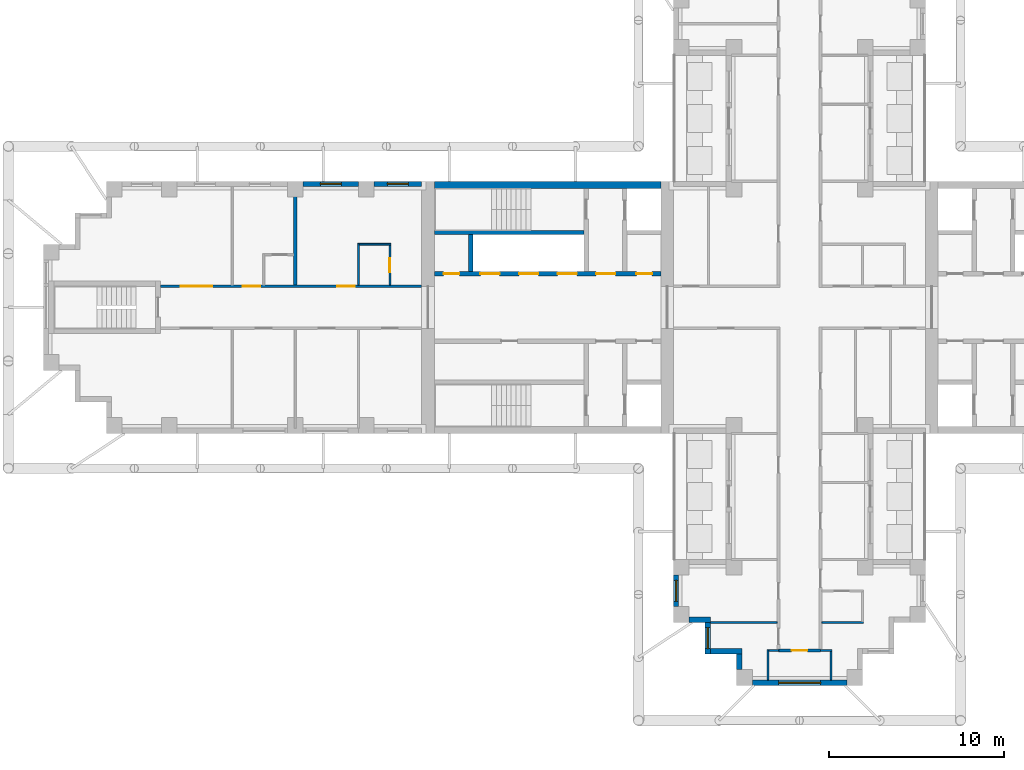
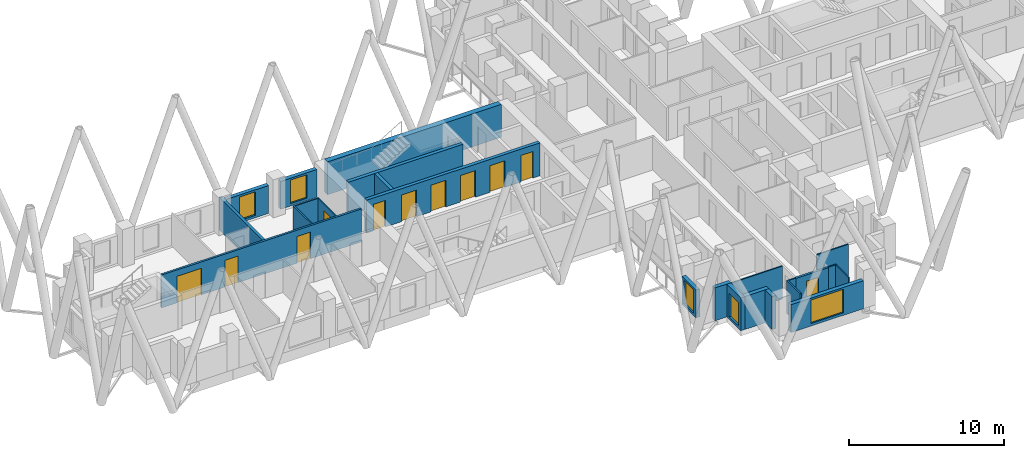
# One storey, part 4 of 12: 24 walls, 11 doors, 5 windows, 16 openings.
"""IFC4 building model written with IfcOpenShell, lengths in metres."""

from ifc_helpers import new_model, si_unit, direction, frame, frame_2d, origin, place, context, subcontext, project, spatial, rectangle, extrude, material, layer, layer_set, type_object, element, fill, save


model = new_model("IFC4")

# Units and contexts
model_context = context("Model", 3, precision=1e-05, world=origin(), true_north=direction((0.0, 1.0)))
body_context = subcontext(model_context, "Body", "Model", "MODEL_VIEW")
ifc_project = project(units=[si_unit("LENGTHUNIT", "METRE"), si_unit("AREAUNIT", "SQUARE_METRE"), si_unit("VOLUMEUNIT", "CUBIC_METRE"), si_unit("PLANEANGLEUNIT", "RADIAN"), si_unit("MASSUNIT", "GRAM", prefix="KILO")], contexts=[model_context])

# Site, building, storey
site_placement = place(None, origin())
site = spatial("IfcSite", under=ifc_project, at=site_placement, CompositionType="ELEMENT")
building_placement = place(site_placement, origin())
building = spatial("IfcBuilding", under=site, at=building_placement, Name="Fustian Cross Tower", CompositionType="ELEMENT")
storey_placement = place(building_placement, frame((0.0, 0.0, 188.699951171875)))
storey = spatial("IfcBuildingStorey", under=building, at=storey_placement, Name="L59", CompositionType="ELEMENT", Elevation=188.699951171875)

# Wall, openings, doors
ifc_material_1 = material(Name="Plasterboard on steel stud", Category="steel")
ifc_layer_1 = layer(ifc_material_1, 0.14990234375)
ifc_layer_set_1 = layer_set([ifc_layer_1], Name="Plasterboard on steel stud")
wall_type_1 = type_object("IfcWallType", Name="COMPARTMENT WALL 150 EI 60", PredefinedType="PARTITIONING", material=ifc_layer_set_1)
wall_1_placement = place(storey_placement, frame((-36.5, 1.199951171875, 0.0), z_axis=(0.0, 0.0, 1.0), x_axis=(1.0, 0.0, 0.0)))
wall_1 = element("IfcWall", 1, at=wall_1_placement, inside=storey, type_object=wall_type_1, Name="Partition 2", PredefinedType="PARTITIONING", context=body_context, shape_type="SweptSolid", body=[
    extrude(rectangle(XDim=14.89990234375, YDim=0.14990234375, at=frame_2d((7.449951171875, 0.0))), origin(), (0.0, 0.0, 1.0), 2.60009765625),
])
opening_1_placement = place(wall_1_placement, frame((10.10009765625, 0.0, 0.0)))
opening_1 = element("IfcOpeningElement", 2, at=opening_1_placement, cuts=wall_1, Name="Opening D27028", PredefinedType="OPENING", context=body_context, shape_type="SweptSolid", body=[
    extrude(rectangle(XDim=1.0, YDim=2.10009765625, at=frame_2d((0.5, 1.050048828125))), frame((0.0, 0.0849609375, 0.0), z_axis=(0.0, -1.0, 0.0), x_axis=(1.0, 0.0, 0.0)), (0.0, 0.0, 1.0), 0.169921875),
])
opening_2_placement = place(wall_1_placement, frame((4.699951171875, 0.0, 0.0)))
opening_2 = element("IfcOpeningElement", 3, at=opening_2_placement, cuts=wall_1, Name="Opening D27030", PredefinedType="OPENING", context=body_context, shape_type="SweptSolid", body=[
    extrude(rectangle(XDim=1.0, YDim=2.10009765625, at=frame_2d((0.5, 1.050048828125))), frame((0.0, 0.0849609375, 0.0), z_axis=(0.0, -1.0, 0.0), x_axis=(1.0, 0.0, 0.0)), (0.0, 0.0, 1.0), 0.169921875),
])
opening_3_placement = place(wall_1_placement, frame((1.14990234375, 0.0, 0.0)))
opening_3 = element("IfcOpeningElement", 4, at=opening_3_placement, cuts=wall_1, Name="Opening D27031", PredefinedType="OPENING", context=body_context, shape_type="SweptSolid", body=[
    extrude(rectangle(XDim=1.800048828125, YDim=2.10009765625, at=frame_2d((0.89990234375, 1.050048828125))), frame((0.0, 0.0849609375, 0.0), z_axis=(0.0, -1.0, 0.0), x_axis=(1.0, 0.0, 0.0)), (0.0, 0.0, 1.0), 0.169921875),
])
ifc_material_2 = material(Name="Timber fire door set", Category="wood")
door_type_1 = type_object("IfcDoorType", Name="FIRE DOUBLE DOOR 1800 FD30S", OperationType="DOUBLE_DOOR_DOUBLE_SWING", PredefinedType="DOOR", material=ifc_material_2)
door_1_placement = place(opening_3_placement, frame((1.800048828125, 0.0, 0.0), z_axis=(0.0, 0.0, 1.0), x_axis=(-1.0, 0.0, 0.0)))
door_1 = element("IfcDoor", 5, at=door_1_placement, inside=storey, type_object=door_type_1, Name="Door D27031", OperationType="DOUBLE_DOOR_DOUBLE_SWING", OverallHeight=2.10009765625, OverallWidth=1.800048828125, PredefinedType="DOOR", context=body_context, shape_type="SweptSolid", body=[
    extrude(rectangle(XDim=1.800048828125, YDim=2.10009765625, at=frame_2d((0.89990234375, 1.050048828125))), frame((0.0, 0.02490234375, 0.0), z_axis=(0.0, -1.0, 0.0), x_axis=(1.0, 0.0, 0.0)), (0.0, 0.0, 1.0), 0.050048828125),
])
fill(opening_3, door_1)
ifc_material_3 = material(Name="Timber fire door set", Category="wood")
door_type_2 = type_object("IfcDoorType", Name="FIRE SWING DOOR 1000 FD30S", OperationType="SINGLE_SWING_LEFT", PredefinedType="DOOR", material=ifc_material_3)
door_2_placement = place(opening_1_placement, origin())
door_2 = element("IfcDoor", 6, at=door_2_placement, inside=storey, type_object=door_type_2, Name="Door D27028", OperationType="SINGLE_SWING_RIGHT", OverallHeight=2.10009765625, OverallWidth=1.0, PredefinedType="DOOR", context=body_context, shape_type="SweptSolid", body=[
    extrude(rectangle(XDim=1.0, YDim=2.10009765625, at=frame_2d((0.5, 1.050048828125))), frame((0.0, 0.02490234375, 0.0), z_axis=(0.0, -1.0, 0.0), x_axis=(1.0, 0.0, 0.0)), (0.0, 0.0, 1.0), 0.050048828125),
])
fill(opening_1, door_2)
door_3_placement = place(opening_2_placement, origin())
door_3 = element("IfcDoor", 7, at=door_3_placement, inside=storey, type_object=door_type_2, Name="Door D27030", OperationType="SINGLE_SWING_RIGHT", OverallHeight=2.10009765625, OverallWidth=1.0, PredefinedType="DOOR", context=body_context, shape_type="SweptSolid", body=[
    extrude(rectangle(XDim=1.0, YDim=2.10009765625, at=frame_2d((0.5, 1.050048828125))), frame((0.0, 0.02490234375, 0.0), z_axis=(0.0, -1.0, 0.0), x_axis=(1.0, 0.0, 0.0)), (0.0, 0.0, 1.0), 0.050048828125),
])
fill(opening_2, door_3)

# Wall, opening, door
wall_2_placement = place(storey_placement, frame((-1.199951171875, -19.60009765625, 0.0), z_axis=(0.0, 0.0, 1.0), x_axis=(1.0, 0.0, 0.0)))
wall_2 = element("IfcWall", 8, at=wall_2_placement, inside=storey, type_object=wall_type_1, Name="Partition 28", PredefinedType="PARTITIONING", context=body_context, shape_type="SweptSolid", body=[
    extrude(rectangle(XDim=2.39990234375, YDim=0.14990234375, at=frame_2d((1.199951171875, 0.0))), origin(), (0.0, 0.0, 1.0), 2.60009765625),
])
opening_4_placement = place(wall_2_placement, frame((0.75, 0.0, 0.0)))
opening_4 = element("IfcOpeningElement", 9, at=opening_4_placement, cuts=wall_2, Name="Opening D27032", PredefinedType="OPENING", context=body_context, shape_type="SweptSolid", body=[
    extrude(rectangle(XDim=0.89990234375, YDim=2.10009765625, at=frame_2d((0.449951171875, 1.050048828125))), frame((0.0, 0.0849609375, 0.0), z_axis=(0.0, -1.0, 0.0), x_axis=(1.0, 0.0, 0.0)), (0.0, 0.0, 1.0), 0.169921875),
])
ifc_material_4 = material(Name="Timber fire door set", Category="wood")
door_type_3 = type_object("IfcDoorType", Name="FIRE SWING DOOR 900 FD30S", OperationType="SINGLE_SWING_LEFT", PredefinedType="DOOR", material=ifc_material_4)
door_4_placement = place(opening_4_placement, frame((0.89990234375, 0.0, 0.0), z_axis=(0.0, 0.0, 1.0), x_axis=(-1.0, 0.0, 0.0)))
door_4 = element("IfcDoor", 10, at=door_4_placement, inside=storey, type_object=door_type_3, Name="Door D27032", OperationType="SINGLE_SWING_RIGHT", OverallHeight=2.10009765625, OverallWidth=0.89990234375, PredefinedType="DOOR", context=body_context, shape_type="SweptSolid", body=[
    extrude(rectangle(XDim=0.89990234375, YDim=2.10009765625, at=frame_2d((0.449951171875, 1.050048828125))), frame((0.0, 0.02490234375, 0.0), z_axis=(0.0, -1.0, 0.0), x_axis=(1.0, 0.0, 0.0)), (0.0, 0.0, 1.0), 0.050048828125),
])
fill(opening_4, door_4)

# Wall
ifc_material_5 = material(Name="Concrete C50/60", Category="concrete")
ifc_layer_2 = layer(ifc_material_5, 0.39990234375)
ifc_layer_set_2 = layer_set([ifc_layer_2], Name="Concrete C50/60")
wall_type_2 = type_object("IfcWallType", Name="CORE FACADE WALL 400 C50/60", PredefinedType="SHEAR", material=ifc_layer_set_2)
wall_3_placement = place(storey_placement, frame((-7.89990234375, 7.0, 0.0), z_axis=(0.0, 0.0, 1.0), x_axis=(-1.0, 0.0, 0.0)))
element("IfcWall", 11, at=wall_3_placement, inside=storey, type_object=wall_type_2, Name="Core facade wall", PredefinedType="SHEAR", context=body_context, shape_type="SweptSolid", body=[
    extrude(rectangle(XDim=12.9501953125, YDim=0.39990234375, at=frame_2d((6.47509765625, 0.0))), origin(), (0.0, 0.0, 1.0), 2.60009765625),
])

# Wall, openings, doors
ifc_material_6 = material(Name="Concrete C50/60", Category="concrete")
ifc_layer_3 = layer(ifc_material_6, 0.25)
ifc_layer_set_3 = layer_set([ifc_layer_3], Name="Concrete C50/60")
wall_type_3 = type_object("IfcWallType", Name="CORE LOBBY WALL 250 C50/60", PredefinedType="SHEAR", material=ifc_layer_set_3)
wall_4_placement = place(storey_placement, frame((-7.89990234375, 1.925048828125, 0.0), z_axis=(0.0, 0.0, 1.0), x_axis=(-1.0, 0.0, 0.0)))
wall_4 = element("IfcWall", 12, at=wall_4_placement, inside=storey, type_object=wall_type_3, Name="Core lobby wall", PredefinedType="SHEAR", context=body_context, shape_type="SweptSolid", body=[
    extrude(rectangle(XDim=12.9501953125, YDim=0.25, at=frame_2d((6.47509765625, 0.0))), origin(), (0.0, 0.0, 1.0), 2.60009765625),
])
opening_5_placement = place(wall_4_placement, frame((4.824951171875, 0.0, 0.0)))
opening_5 = element("IfcOpeningElement", 13, at=opening_5_placement, cuts=wall_4, Name="Opening LD", PredefinedType="OPENING", context=body_context, shape_type="SweptSolid", body=[
    extrude(rectangle(XDim=1.10009765625, YDim=2.10009765625, at=frame_2d((0.550048828125, 1.050048828125))), frame((0.0, 0.135009765625, 0.0), z_axis=(0.0, -1.0, 0.0), x_axis=(1.0, 0.0, 0.0)), (0.0, 0.0, 1.0), 0.27001953125),
])
opening_6_placement = place(wall_4_placement, frame((7.02490234375, 0.0, 0.0)))
opening_6 = element("IfcOpeningElement", 14, at=opening_6_placement, cuts=wall_4, Name="Opening LD", PredefinedType="OPENING", context=body_context, shape_type="SweptSolid", body=[
    extrude(rectangle(XDim=1.10009765625, YDim=2.10009765625, at=frame_2d((0.550048828125, 1.050048828125))), frame((0.0, 0.135009765625, 0.0), z_axis=(0.0, -1.0, 0.0), x_axis=(1.0, 0.0, 0.0)), (0.0, 0.0, 1.0), 0.27001953125),
])
opening_7_placement = place(wall_4_placement, frame((9.22509765625, 0.0, 0.0)))
opening_7 = element("IfcOpeningElement", 15, at=opening_7_placement, cuts=wall_4, Name="Opening LD", PredefinedType="OPENING", context=body_context, shape_type="SweptSolid", body=[
    extrude(rectangle(XDim=1.10009765625, YDim=2.10009765625, at=frame_2d((0.550048828125, 1.050048828125))), frame((0.0, 0.135009765625, 0.0), z_axis=(0.0, -1.0, 0.0), x_axis=(1.0, 0.0, 0.0)), (0.0, 0.0, 1.0), 0.27001953125),
])
opening_8_placement = place(wall_4_placement, frame((0.52490234375, 0.0, 0.0)))
opening_8 = element("IfcOpeningElement", 16, at=opening_8_placement, cuts=wall_4, Name="Opening CD-24-23", PredefinedType="OPENING", context=body_context, shape_type="SweptSolid", body=[
    extrude(rectangle(XDim=0.89990234375, YDim=2.10009765625, at=frame_2d((0.449951171875, 1.050048828125))), frame((0.0, 0.135009765625, 0.0), z_axis=(0.0, -1.0, 0.0), x_axis=(1.0, 0.0, 0.0)), (0.0, 0.0, 1.0), 0.27001953125),
])
opening_9_placement = place(wall_4_placement, frame((2.625, 0.0, 0.0)))
opening_9 = element("IfcOpeningElement", 17, at=opening_9_placement, cuts=wall_4, Name="Opening CD-24-25", PredefinedType="OPENING", context=body_context, shape_type="SweptSolid", body=[
    extrude(rectangle(XDim=1.10009765625, YDim=2.10009765625, at=frame_2d((0.550048828125, 1.050048828125))), frame((0.0, 0.135009765625, 0.0), z_axis=(0.0, -1.0, 0.0), x_axis=(1.0, 0.0, 0.0)), (0.0, 0.0, 1.0), 0.27001953125),
])
opening_10_placement = place(wall_4_placement, frame((11.52490234375, 0.0, 0.0)))
opening_10 = element("IfcOpeningElement", 18, at=opening_10_placement, cuts=wall_4, Name="Opening CD-24-29", PredefinedType="OPENING", context=body_context, shape_type="SweptSolid", body=[
    extrude(rectangle(XDim=0.89990234375, YDim=2.10009765625, at=frame_2d((0.449951171875, 1.050048828125))), frame((0.0, 0.135009765625, 0.0), z_axis=(0.0, -1.0, 0.0), x_axis=(1.0, 0.0, 0.0)), (0.0, 0.0, 1.0), 0.27001953125),
])
ifc_material_7 = material(Name="Steel", Category="steel")
door_type_4 = type_object("IfcDoorType", Name="FIRE DOOR FD30S 900X2100", OperationType="SINGLE_SWING_LEFT", PredefinedType="DOOR", material=ifc_material_7)
door_5_placement = place(opening_10_placement, frame((0.89990234375, 0.0, 0.0), z_axis=(0.0, 0.0, 1.0), x_axis=(-1.0, 0.0, 0.0)))
door_5 = element("IfcDoor", 19, at=door_5_placement, inside=storey, type_object=door_type_4, Name="Core door CD-24-29", OperationType="SINGLE_SWING_RIGHT", OverallHeight=2.10009765625, OverallWidth=0.89990234375, PredefinedType="DOOR", context=body_context, shape_type="SweptSolid", body=[
    extrude(rectangle(XDim=0.89990234375, YDim=2.10009765625, at=frame_2d((0.449951171875, 1.050048828125))), frame((0.0, 0.02490234375, 0.0), z_axis=(0.0, -1.0, 0.0), x_axis=(1.0, 0.0, 0.0)), (0.0, 0.0, 1.0), 0.050048828125),
])
fill(opening_10, door_5)
ifc_material_8 = material(Name="Steel", Category="steel")
door_type_5 = type_object("IfcDoorType", Name="FIRE DOOR FD60S 1100X2100", OperationType="SINGLE_SWING_LEFT", PredefinedType="DOOR", material=ifc_material_8)
door_6_placement = place(opening_9_placement, frame((1.10009765625, 0.0, 0.0), z_axis=(0.0, 0.0, 1.0), x_axis=(-1.0, 0.0, 0.0)))
door_6 = element("IfcDoor", 20, at=door_6_placement, inside=storey, type_object=door_type_5, Name="Core door CD-24-25", OperationType="SINGLE_SWING_RIGHT", OverallHeight=2.10009765625, OverallWidth=1.10009765625, PredefinedType="DOOR", context=body_context, shape_type="SweptSolid", body=[
    extrude(rectangle(XDim=1.10009765625, YDim=2.10009765625, at=frame_2d((0.550048828125, 1.050048828125))), frame((0.0, 0.02490234375, 0.0), z_axis=(0.0, -1.0, 0.0), x_axis=(1.0, 0.0, 0.0)), (0.0, 0.0, 1.0), 0.050048828125),
])
fill(opening_9, door_6)
ifc_material_9 = material(Name="Steel", Category="steel")
door_type_6 = type_object("IfcDoorType", Name="FIRE DOOR FD60S 900X2100", OperationType="SINGLE_SWING_LEFT", PredefinedType="DOOR", material=ifc_material_9)
door_7_placement = place(opening_8_placement, frame((0.89990234375, 0.0, 0.0), z_axis=(0.0, 0.0, 1.0), x_axis=(-1.0, 0.0, 0.0)))
door_7 = element("IfcDoor", 21, at=door_7_placement, inside=storey, type_object=door_type_6, Name="Core door CD-24-23", OperationType="SINGLE_SWING_RIGHT", OverallHeight=2.10009765625, OverallWidth=0.89990234375, PredefinedType="DOOR", context=body_context, shape_type="SweptSolid", body=[
    extrude(rectangle(XDim=0.89990234375, YDim=2.10009765625, at=frame_2d((0.449951171875, 1.050048828125))), frame((0.0, 0.02490234375, 0.0), z_axis=(0.0, -1.0, 0.0), x_axis=(1.0, 0.0, 0.0)), (0.0, 0.0, 1.0), 0.050048828125),
])
fill(opening_8, door_7)
ifc_material_10 = material(Name="Stainless steel", Category="steel")
door_type_7 = type_object("IfcDoorType", Name="LIFT LANDING DOOR 1100X2100", OperationType="SLIDING_TO_LEFT", PredefinedType="DOOR", material=ifc_material_10)
door_8_placement = place(opening_5_placement, origin())
door_8 = element("IfcDoor", 22, at=door_8_placement, inside=storey, type_object=door_type_7, Name="Landing door HR1W", OperationType="SLIDING_TO_LEFT", OverallHeight=2.10009765625, OverallWidth=1.10009765625, PredefinedType="DOOR", context=body_context, shape_type="SweptSolid", body=[
    extrude(rectangle(XDim=1.10009765625, YDim=2.10009765625, at=frame_2d((0.550048828125, 1.050048828125))), frame((0.0, 0.02490234375, 0.0), z_axis=(0.0, -1.0, 0.0), x_axis=(1.0, 0.0, 0.0)), (0.0, 0.0, 1.0), 0.050048828125),
])
fill(opening_5, door_8)
door_9_placement = place(opening_6_placement, origin())
door_9 = element("IfcDoor", 23, at=door_9_placement, inside=storey, type_object=door_type_7, Name="Landing door HR2W", OperationType="SLIDING_TO_LEFT", OverallHeight=2.10009765625, OverallWidth=1.10009765625, PredefinedType="DOOR", context=body_context, shape_type="SweptSolid", body=[
    extrude(rectangle(XDim=1.10009765625, YDim=2.10009765625, at=frame_2d((0.550048828125, 1.050048828125))), frame((0.0, 0.02490234375, 0.0), z_axis=(0.0, -1.0, 0.0), x_axis=(1.0, 0.0, 0.0)), (0.0, 0.0, 1.0), 0.050048828125),
])
fill(opening_6, door_9)
door_10_placement = place(opening_7_placement, origin())
door_10 = element("IfcDoor", 24, at=door_10_placement, inside=storey, type_object=door_type_7, Name="Landing door HR3W", OperationType="SLIDING_TO_LEFT", OverallHeight=2.10009765625, OverallWidth=1.10009765625, PredefinedType="DOOR", context=body_context, shape_type="SweptSolid", body=[
    extrude(rectangle(XDim=1.10009765625, YDim=2.10009765625, at=frame_2d((0.550048828125, 1.050048828125))), frame((0.0, 0.02490234375, 0.0), z_axis=(0.0, -1.0, 0.0), x_axis=(1.0, 0.0, 0.0)), (0.0, 0.0, 1.0), 0.050048828125),
])
fill(opening_7, door_10)

# Walls
ifc_material_11 = material(Name="Concrete C50/60", Category="concrete")
ifc_layer_4 = layer(ifc_material_11, 0.25)
ifc_layer_set_4 = layer_set([ifc_layer_4], Name="Concrete C50/60")
wall_type_4 = type_object("IfcWallType", Name="CORE SHAFT WALL 250 C50/60", PredefinedType="SHEAR", material=ifc_layer_set_4)
wall_5_placement = place(storey_placement, frame((-12.300048828125, 4.27490234375, 0.0), z_axis=(0.0, 0.0, 1.0), x_axis=(-1.0, 0.0, 0.0)))
element("IfcWall", 25, at=wall_5_placement, inside=storey, type_object=wall_type_4, Name="Core shaft wall", PredefinedType="SHEAR", context=body_context, shape_type="SweptSolid", body=[
    extrude(rectangle(XDim=8.550048828125, YDim=0.25, at=frame_2d((4.27490234375, 0.0))), origin(), (0.0, 0.0, 1.0), 2.60009765625),
])
ifc_material_12 = material(Name="Plasterboard on steel stud", Category="steel")
ifc_layer_5 = layer(ifc_material_12, 0.10009765625)
ifc_layer_set_5 = layer_set([ifc_layer_5], Name="Plasterboard on steel stud")
wall_type_5 = type_object("IfcWallType", Name="PARTITION 100 STUD", PredefinedType="PARTITIONING", material=ifc_layer_set_5)
wall_6_placement = place(storey_placement, frame((-25.199951171875, 1.27490234375, 0.0), z_axis=(0.0, 0.0, 1.0), x_axis=(0.0, 1.0, 0.0)))
element("IfcWall", 26, at=wall_6_placement, inside=storey, type_object=wall_type_5, Name="Partition 10", PredefinedType="PARTITIONING", context=body_context, shape_type="SweptSolid", body=[
    extrude(rectangle(XDim=2.375, YDim=0.10009765625, at=frame_2d((1.1875, 0.0))), origin(), (0.0, 0.0, 1.0), 2.60009765625),
])
wall_7_placement = place(storey_placement, frame((-25.14990234375, 3.60009765625, 0.0), z_axis=(0.0, 0.0, 1.0), x_axis=(1.0, 0.0, 0.0)))
element("IfcWall", 27, at=wall_7_placement, inside=storey, type_object=wall_type_5, Name="Partition 11", PredefinedType="PARTITIONING", context=body_context, shape_type="SweptSolid", body=[
    extrude(rectangle(XDim=1.7998046875, YDim=0.10009765625, at=frame_2d((0.89990234375, 0.0))), origin(), (0.0, 0.0, 1.0), 2.60009765625),
])

# Wall, opening, door
wall_8_placement = place(storey_placement, frame((-23.39990234375, 1.27490234375, 0.0), z_axis=(0.0, 0.0, 1.0), x_axis=(0.0, 1.0, 0.0)))
wall_8 = element("IfcWall", 28, at=wall_8_placement, inside=storey, type_object=wall_type_5, Name="Partition 12", PredefinedType="PARTITIONING", context=body_context, shape_type="SweptSolid", body=[
    extrude(rectangle(XDim=2.275146484375, YDim=0.10009765625, at=frame_2d((1.1376953125, 0.0))), origin(), (0.0, 0.0, 1.0), 2.60009765625),
])
opening_11_placement = place(wall_8_placement, frame((0.72509765625, 0.0, 0.0)))
opening_11 = element("IfcOpeningElement", 29, at=opening_11_placement, cuts=wall_8, Name="Opening D27027", PredefinedType="OPENING", context=body_context, shape_type="SweptSolid", body=[
    extrude(rectangle(XDim=0.800048828125, YDim=2.10009765625, at=frame_2d((0.39990234375, 1.050048828125))), frame((0.0, 0.06005859375, 0.0), z_axis=(0.0, -1.0, 0.0), x_axis=(1.0, 0.0, 0.0)), (0.0, 0.0, 1.0), 0.1201171875),
])
ifc_material_13 = material(Name="Painted timber", Category="wood")
door_type_8 = type_object("IfcDoorType", Name="SWING DOOR 800", OperationType="SINGLE_SWING_LEFT", PredefinedType="DOOR", material=ifc_material_13)
door_11_placement = place(opening_11_placement, origin())
door_11 = element("IfcDoor", 30, at=door_11_placement, inside=storey, type_object=door_type_8, Name="Door D27027", OperationType="SINGLE_SWING_LEFT", OverallHeight=2.10009765625, OverallWidth=0.800048828125, PredefinedType="DOOR", context=body_context, shape_type="SweptSolid", body=[
    extrude(rectangle(XDim=0.800048828125, YDim=2.10009765625, at=frame_2d((0.39990234375, 1.050048828125))), frame((0.0, 0.02490234375, 0.0), z_axis=(0.0, -1.0, 0.0), x_axis=(1.0, 0.0, 0.0)), (0.0, 0.0, 1.0), 0.050048828125),
])
fill(opening_11, door_11)

# Walls
wall_9_placement = place(storey_placement, frame((-5.10009765625, -18.0, 0.0), z_axis=(0.0, 0.0, 1.0), x_axis=(1.0, 0.0, 0.0)))
element("IfcWall", 31, at=wall_9_placement, inside=storey, type_object=wall_type_5, Name="Partition 17", PredefinedType="PARTITIONING", context=body_context, shape_type="SweptSolid", body=[
    extrude(rectangle(XDim=3.8251953125, YDim=0.10009765625, at=frame_2d((1.91259765625, 0.0))), origin(), (0.0, 0.0, 1.0), 2.60009765625),
])
wall_10_placement = place(storey_placement, frame((-1.800048828125, -21.300048828125, 0.0), z_axis=(0.0, 0.0, 1.0), x_axis=(0.0, 1.0, 0.0)))
element("IfcWall", 32, at=wall_10_placement, inside=storey, type_object=wall_type_5, Name="Partition 23", PredefinedType="PARTITIONING", context=body_context, shape_type="SweptSolid", body=[
    extrude(rectangle(XDim=1.75, YDim=0.10009765625, at=frame_2d((0.875, 0.0))), origin(), (0.0, 0.0, 1.0), 2.60009765625),
])
wall_11_placement = place(storey_placement, frame((-1.75, -19.60009765625, 0.0), z_axis=(0.0, 0.0, 1.0), x_axis=(1.0, 0.0, 0.0)))
element("IfcWall", 33, at=wall_11_placement, inside=storey, type_object=wall_type_5, Name="Partition 24", PredefinedType="PARTITIONING", context=body_context, shape_type="SweptSolid", body=[
    extrude(rectangle(XDim=0.550048828125, YDim=0.10009765625, at=frame_2d((0.27490234375, 0.0))), origin(), (0.0, 0.0, 1.0), 2.60009765625),
])
wall_12_placement = place(storey_placement, frame((1.199951171875, -19.60009765625, 0.0), z_axis=(0.0, 0.0, 1.0), x_axis=(1.0, 0.0, 0.0)))
element("IfcWall", 34, at=wall_12_placement, inside=storey, type_object=wall_type_5, Name="Partition 32", PredefinedType="PARTITIONING", context=body_context, shape_type="SweptSolid", body=[
    extrude(rectangle(XDim=0.650146484375, YDim=0.10009765625, at=frame_2d((0.3251953125, 0.0))), origin(), (0.0, 0.0, 1.0), 2.60009765625),
])
wall_13_placement = place(storey_placement, frame((1.27490234375, -18.0, 0.0), z_axis=(0.0, 0.0, 1.0), x_axis=(1.0, 0.0, 0.0)))
element("IfcWall", 35, at=wall_13_placement, inside=storey, type_object=wall_type_5, Name="Partition 33", PredefinedType="PARTITIONING", context=body_context, shape_type="SweptSolid", body=[
    extrude(rectangle(XDim=2.375, YDim=0.10009765625, at=frame_2d((1.1875, 0.0))), origin(), (0.0, 0.0, 1.0), 2.60009765625),
])
wall_14_placement = place(storey_placement, frame((1.800048828125, -21.300048828125, 0.0), z_axis=(0.0, 0.0, 1.0), x_axis=(0.0, 1.0, 0.0)))
element("IfcWall", 36, at=wall_14_placement, inside=storey, type_object=wall_type_5, Name="Partition 47", PredefinedType="PARTITIONING", context=body_context, shape_type="SweptSolid", body=[
    extrude(rectangle(XDim=1.650146484375, YDim=0.10009765625, at=frame_2d((0.8251953125, 0.0))), origin(), (0.0, 0.0, 1.0), 2.60009765625),
])
ifc_material_14 = material(Name="Plasterboard on steel stud", Category="steel")
ifc_layer_6 = layer(ifc_material_14, 0.199951171875)
ifc_layer_set_6 = layer_set([ifc_layer_6], Name="Plasterboard on steel stud")
wall_type_6 = type_object("IfcWallType", Name="PARTY WALL 200 EI 60", PredefinedType="PARTITIONING", material=ifc_layer_set_6)
wall_15_placement = place(storey_placement, frame((-28.800048828125, 1.27490234375, 0.0), z_axis=(0.0, 0.0, 1.0), x_axis=(0.0, 1.0, 0.0)))
element("IfcWall", 37, at=wall_15_placement, inside=storey, type_object=wall_type_6, Name="Partition 8", PredefinedType="PARTITIONING", context=body_context, shape_type="SweptSolid", body=[
    extrude(rectangle(XDim=5.625, YDim=0.199951171875, at=frame_2d((2.8125, 0.0))), origin(), (0.0, 0.0, 1.0), 2.60009765625),
])
ifc_material_15 = material(Name="Concrete C40/50", Category="concrete")
ifc_layer_7 = layer(ifc_material_15, 0.25)
ifc_layer_set_7 = layer_set([ifc_layer_7], Name="Concrete C40/50")
wall_type_7 = type_object("IfcWallType", Name="SHAFT PARTITION WALL 250 C40/50", PredefinedType="PARTITIONING", material=ifc_layer_set_7)
wall_16_placement = place(storey_placement, frame((-18.77490234375, 2.050048828125, 0.0), z_axis=(0.0, 0.0, 1.0), x_axis=(0.0, 1.0, 0.0)))
element("IfcWall", 38, at=wall_16_placement, inside=storey, type_object=wall_type_7, Name="Core shaft wall", PredefinedType="PARTITIONING", context=body_context, shape_type="SweptSolid", body=[
    extrude(rectangle(XDim=2.099853515625, YDim=0.25, at=frame_2d((1.0498046875, 0.0))), origin(), (0.0, 0.0, 1.0), 2.60009765625),
])

# Wall, opening, window
ifc_material_16 = material(Name="Dark aluminium cladding on insulated backing wall", Category="aluminium")
ifc_layer_8 = layer(ifc_material_16, 0.300048828125)
ifc_layer_set_8 = layer_set([ifc_layer_8], Name="Dark aluminium cladding on insulated backing wall")
wall_type_8 = type_object("IfcWallType", Name="XW1 EXTERNAL WALL 300", PredefinedType="SOLIDWALL", material=ifc_layer_set_8)
wall_17_placement = place(storey_placement, frame((-21.60009765625, 7.050048828125, 0.0), z_axis=(0.0, 0.0, 1.0), x_axis=(-1.0, 0.0, 0.0)))
wall_17 = element("IfcWall", 39, at=wall_17_placement, inside=storey, type_object=wall_type_8, Name="External wall", PredefinedType="SOLIDWALL", context=body_context, shape_type="SweptSolid", body=[
    extrude(rectangle(XDim=2.699951171875, YDim=0.300048828125, at=frame_2d((1.35009765625, 0.0))), origin(), (0.0, 0.0, 1.0), 2.199951171875),
])
opening_12_placement = place(wall_17_placement, frame((0.75, 0.0, 0.199951171875)))
opening_12 = element("IfcOpeningElement", 40, at=opening_12_placement, cuts=wall_17, Name="Opening WN3", PredefinedType="OPENING", context=body_context, shape_type="SweptSolid", body=[
    extrude(rectangle(XDim=1.199951171875, YDim=1.85009765625, at=frame_2d((0.60009765625, 0.925048828125))), frame((0.0, 0.159912109375, 0.0), z_axis=(0.0, -1.0, 0.0), x_axis=(1.0, 0.0, 0.0)), (0.0, 0.0, 1.0), 0.320068359375),
])
ifc_material_17 = material(Name="Dark anodised aluminium and double glazing", Category="aluminium")
window_type_1 = type_object("IfcWindowType", Name="WN3 WINDOW 1200X1850", PartitioningType="SINGLE_PANEL", PredefinedType="WINDOW", material=ifc_material_17)
window_1_placement = place(opening_12_placement, origin())
window_1 = element("IfcWindow", 41, at=window_1_placement, inside=storey, type_object=window_type_1, Name="Window", OverallHeight=1.85009765625, OverallWidth=1.199951171875, PartitioningType="SINGLE_PANEL", PredefinedType="WINDOW", context=body_context, shape_type="SweptSolid", body=[
    extrude(rectangle(XDim=1.199951171875, YDim=1.85009765625, at=frame_2d((0.60009765625, 0.925048828125))), frame((0.0, 0.030029296875, 0.0), z_axis=(0.0, -1.0, 0.0), x_axis=(1.0, 0.0, 0.0)), (0.0, 0.0, 1.0), 0.06005859375),
])
fill(opening_12, window_1)

wall_18_placement = place(storey_placement, frame((-25.199951171875, 7.050048828125, 0.0), z_axis=(0.0, 0.0, 1.0), x_axis=(-1.0, 0.0, 0.0)))
wall_18 = element("IfcWall", 42, at=wall_18_placement, inside=storey, type_object=wall_type_8, Name="External wall", PredefinedType="SOLIDWALL", context=body_context, shape_type="SweptSolid", body=[
    extrude(rectangle(XDim=3.150146484375, YDim=0.300048828125, at=frame_2d((1.5751953125, 0.0))), origin(), (0.0, 0.0, 1.0), 2.199951171875),
])
opening_13_placement = place(wall_18_placement, frame((0.97509765625, 0.0, 0.199951171875)))
opening_13 = element("IfcOpeningElement", 43, at=opening_13_placement, cuts=wall_18, Name="Opening WN3", PredefinedType="OPENING", context=body_context, shape_type="SweptSolid", body=[
    extrude(rectangle(XDim=1.199951171875, YDim=1.85009765625, at=frame_2d((0.60009765625, 0.925048828125))), frame((0.0, 0.159912109375, 0.0), z_axis=(0.0, -1.0, 0.0), x_axis=(1.0, 0.0, 0.0)), (0.0, 0.0, 1.0), 0.320068359375),
])
window_2_placement = place(opening_13_placement, origin())
window_2 = element("IfcWindow", 44, at=window_2_placement, inside=storey, type_object=window_type_1, Name="Window", OverallHeight=1.85009765625, OverallWidth=1.199951171875, PartitioningType="SINGLE_PANEL", PredefinedType="WINDOW", context=body_context, shape_type="SweptSolid", body=[
    extrude(rectangle(XDim=1.199951171875, YDim=1.85009765625, at=frame_2d((0.60009765625, 0.925048828125))), frame((0.0, 0.030029296875, 0.0), z_axis=(0.0, -1.0, 0.0), x_axis=(1.0, 0.0, 0.0)), (0.0, 0.0, 1.0), 0.06005859375),
])
fill(opening_13, window_2)

wall_19_placement = place(storey_placement, frame((-7.050048828125, -15.300048828125, 0.0), z_axis=(0.0, 0.0, 1.0), x_axis=(0.0, -1.0, 0.0)))
wall_19 = element("IfcWall", 45, at=wall_19_placement, inside=storey, type_object=wall_type_8, Name="External wall", PredefinedType="SOLIDWALL", context=body_context, shape_type="SweptSolid", body=[
    extrude(rectangle(XDim=1.800048828125, YDim=0.300048828125, at=frame_2d((0.89990234375, 0.0))), origin(), (0.0, 0.0, 1.0), 2.199951171875),
])
opening_14_placement = place(wall_19_placement, frame((0.300048828125, 0.0, 0.199951171875)))
opening_14 = element("IfcOpeningElement", 46, at=opening_14_placement, cuts=wall_19, Name="Opening WN3", PredefinedType="OPENING", context=body_context, shape_type="SweptSolid", body=[
    extrude(rectangle(XDim=1.199951171875, YDim=1.85009765625, at=frame_2d((0.60009765625, 0.925048828125))), frame((0.0, 0.159912109375, 0.0), z_axis=(0.0, -1.0, 0.0), x_axis=(1.0, 0.0, 0.0)), (0.0, 0.0, 1.0), 0.320068359375),
])
window_3_placement = place(opening_14_placement, origin())
window_3 = element("IfcWindow", 47, at=window_3_placement, inside=storey, type_object=window_type_1, Name="Window", OverallHeight=1.85009765625, OverallWidth=1.199951171875, PartitioningType="SINGLE_PANEL", PredefinedType="WINDOW", context=body_context, shape_type="SweptSolid", body=[
    extrude(rectangle(XDim=1.199951171875, YDim=1.85009765625, at=frame_2d((0.60009765625, 0.925048828125))), frame((0.0, 0.030029296875, 0.0), z_axis=(0.0, -1.0, 0.0), x_axis=(1.0, 0.0, 0.0)), (0.0, 0.0, 1.0), 0.06005859375),
])
fill(opening_14, window_3)

# Wall
wall_20_placement = place(storey_placement, frame((-6.300048828125, -17.85009765625, 0.0), z_axis=(0.0, 0.0, 1.0), x_axis=(1.0, 0.0, 0.0)))
element("IfcWall", 48, at=wall_20_placement, inside=storey, type_object=wall_type_8, Name="External wall", PredefinedType="SOLIDWALL", context=body_context, shape_type="SweptSolid", body=[
    extrude(rectangle(XDim=1.199951171875, YDim=0.300048828125, at=frame_2d((0.60009765625, 0.0))), origin(), (0.0, 0.0, 1.0), 2.60009765625),
])

# Wall, opening, window
wall_21_placement = place(storey_placement, frame((-5.25, -18.0, 0.0), z_axis=(0.0, 0.0, 1.0), x_axis=(0.0, -1.0, 0.0)))
wall_21 = element("IfcWall", 49, at=wall_21_placement, inside=storey, type_object=wall_type_8, Name="External wall", PredefinedType="SOLIDWALL", context=body_context, shape_type="SweptSolid", body=[
    extrude(rectangle(XDim=1.800048828125, YDim=0.300048828125, at=frame_2d((0.89990234375, 0.0))), origin(), (0.0, 0.0, 1.0), 2.60009765625),
])
opening_15_placement = place(wall_21_placement, frame((0.300048828125, 0.0, 0.199951171875)))
opening_15 = element("IfcOpeningElement", 50, at=opening_15_placement, cuts=wall_21, Name="Opening WN3", PredefinedType="OPENING", context=body_context, shape_type="SweptSolid", body=[
    extrude(rectangle(XDim=1.199951171875, YDim=1.85009765625, at=frame_2d((0.60009765625, 0.925048828125))), frame((0.0, 0.159912109375, 0.0), z_axis=(0.0, -1.0, 0.0), x_axis=(1.0, 0.0, 0.0)), (0.0, 0.0, 1.0), 0.320068359375),
])
window_4_placement = place(opening_15_placement, origin())
window_4 = element("IfcWindow", 51, at=window_4_placement, inside=storey, type_object=window_type_1, Name="Window", OverallHeight=1.85009765625, OverallWidth=1.199951171875, PartitioningType="SINGLE_PANEL", PredefinedType="WINDOW", context=body_context, shape_type="SweptSolid", body=[
    extrude(rectangle(XDim=1.199951171875, YDim=1.85009765625, at=frame_2d((0.60009765625, 0.925048828125))), frame((0.0, 0.030029296875, 0.0), z_axis=(0.0, -1.0, 0.0), x_axis=(1.0, 0.0, 0.0)), (0.0, 0.0, 1.0), 0.06005859375),
])
fill(opening_15, window_4)

# Walls
wall_22_placement = place(storey_placement, frame((-5.10009765625, -19.64990234375, 0.0), z_axis=(0.0, 0.0, 1.0), x_axis=(1.0, 0.0, 0.0)))
element("IfcWall", 52, at=wall_22_placement, inside=storey, type_object=wall_type_8, Name="External wall", PredefinedType="SOLIDWALL", context=body_context, shape_type="SweptSolid", body=[
    extrude(rectangle(XDim=1.800048828125, YDim=0.300048828125, at=frame_2d((0.89990234375, 0.0))), origin(), (0.0, 0.0, 1.0), 2.60009765625),
])
wall_23_placement = place(storey_placement, frame((-3.449951171875, -19.800048828125, 0.0), z_axis=(0.0, 0.0, 1.0), x_axis=(0.0, -1.0, 0.0)))
element("IfcWall", 53, at=wall_23_placement, inside=storey, type_object=wall_type_8, Name="External wall", PredefinedType="SOLIDWALL", context=body_context, shape_type="SweptSolid", body=[
    extrude(rectangle(XDim=0.89990234375, YDim=0.300048828125, at=frame_2d((0.449951171875, 0.0))), origin(), (0.0, 0.0, 1.0), 2.60009765625),
])

# Wall, opening, window
wall_24_placement = place(storey_placement, frame((-2.699951171875, -21.449951171875, 0.0), z_axis=(0.0, 0.0, 1.0), x_axis=(1.0, 0.0, 0.0)))
wall_24 = element("IfcWall", 54, at=wall_24_placement, inside=storey, type_object=wall_type_8, Name="External wall", PredefinedType="SOLIDWALL", context=body_context, shape_type="SweptSolid", body=[
    extrude(rectangle(XDim=5.39990234375, YDim=0.300048828125, at=frame_2d((2.699951171875, 0.0))), origin(), (0.0, 0.0, 1.0), 2.199951171875),
])
opening_16_placement = place(wall_24_placement, frame((1.5, 0.0, 0.199951171875)))
opening_16 = element("IfcOpeningElement", 55, at=opening_16_placement, cuts=wall_24, Name="Opening WN1", PredefinedType="OPENING", context=body_context, shape_type="SweptSolid", body=[
    extrude(rectangle(XDim=2.39990234375, YDim=1.85009765625, at=frame_2d((1.199951171875, 0.925048828125))), frame((0.0, 0.159912109375, 0.0), z_axis=(0.0, -1.0, 0.0), x_axis=(1.0, 0.0, 0.0)), (0.0, 0.0, 1.0), 0.320068359375),
])
ifc_material_18 = material(Name="Dark anodised aluminium and double glazing", Category="aluminium")
window_type_2 = type_object("IfcWindowType", Name="WN1 WINDOW 2400X1850", PartitioningType="SINGLE_PANEL", PredefinedType="WINDOW", material=ifc_material_18)
window_5_placement = place(opening_16_placement, origin())
window_5 = element("IfcWindow", 56, at=window_5_placement, inside=storey, type_object=window_type_2, Name="Window", OverallHeight=1.85009765625, OverallWidth=2.39990234375, PartitioningType="SINGLE_PANEL", PredefinedType="WINDOW", context=body_context, shape_type="SweptSolid", body=[
    extrude(rectangle(XDim=2.39990234375, YDim=1.85009765625, at=frame_2d((1.199951171875, 0.925048828125))), frame((0.0, 0.030029296875, 0.0), z_axis=(0.0, -1.0, 0.0), x_axis=(1.0, 0.0, 0.0)), (0.0, 0.0, 1.0), 0.06005859375),
])
fill(opening_16, window_5)

save(model, "model.ifc")
